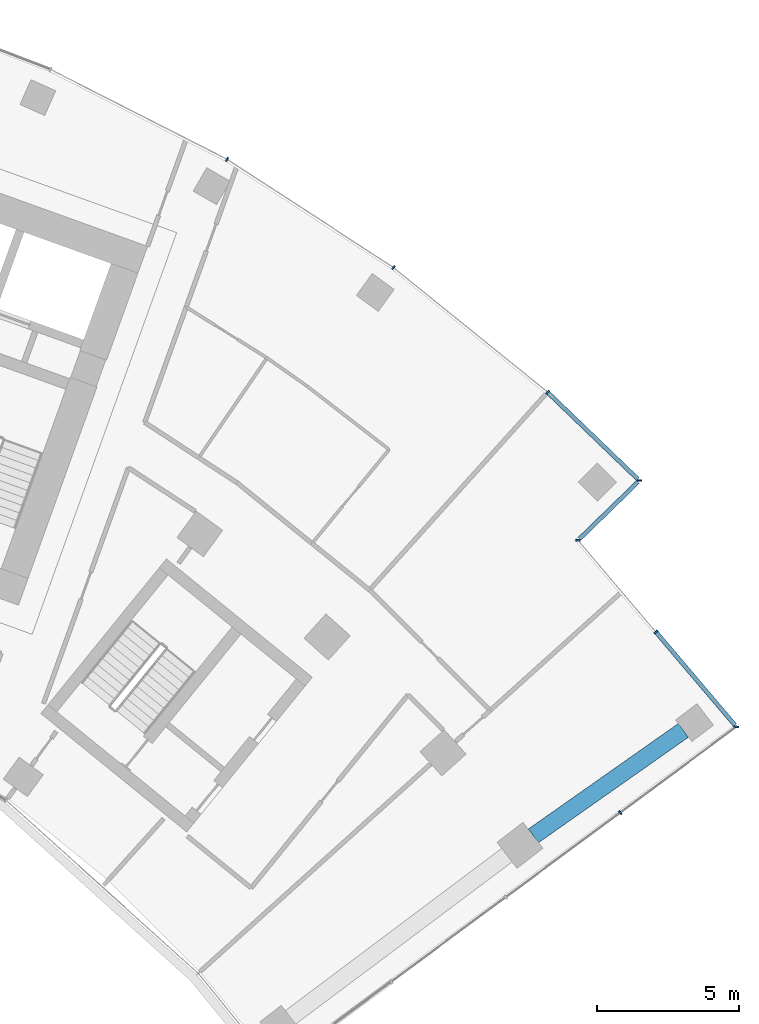
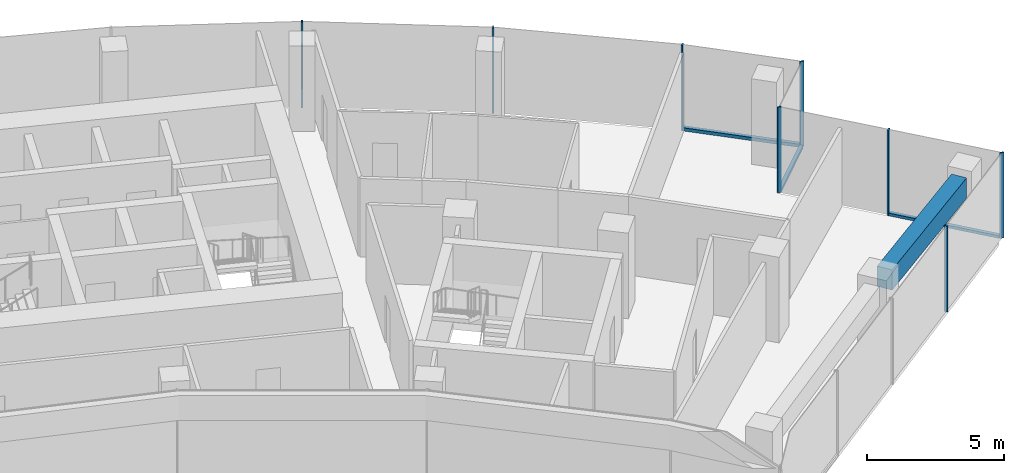
# One storey, part 8 of 17: 11 members, 1 beam, 4 elements without a shape of their own.
"""IFC4 building model written with IfcOpenShell, lengths in metres."""

from ifc_helpers import new_model, si_unit, direction, frame, origin, origin_2d, place, context, subcontext, project, spatial, rectangle, extrude, material, layer, layer_set, material_profile, profile_set, type_object, element, aggregate, save


model = new_model("IFC4")

# Units and contexts
model_context = context("Model", 3, precision=1e-05, world=origin(), true_north=direction((0.0, 1.0)))
body_context = subcontext(model_context, "Body", "Model", "MODEL_VIEW")
ifc_project = project(units=[si_unit("LENGTHUNIT", "METRE"), si_unit("AREAUNIT", "SQUARE_METRE"), si_unit("VOLUMEUNIT", "CUBIC_METRE"), si_unit("PLANEANGLEUNIT", "RADIAN"), si_unit("MASSUNIT", "GRAM", prefix="KILO")], contexts=[model_context])

# Site, building, storey
site_placement = place(None, origin())
site = spatial("IfcSite", under=ifc_project, at=site_placement, CompositionType="ELEMENT")
building_placement = place(site_placement, origin())
building = spatial("IfcBuilding", under=site, at=building_placement, Name="Stone Belt Terrace Tower", CompositionType="ELEMENT")
storey_placement = place(building_placement, frame((0.0, 0.0, 231.39990234375)))
storey = spatial("IfcBuildingStorey", under=building, at=storey_placement, Name="L56", CompositionType="ELEMENT", Elevation=231.39990234375)

# Curtain wall, members
ifc_material_1 = material(Name="Aluminium 6063-T6 anodised frame", Category="aluminium")
ifc_layer_1 = layer(ifc_material_1, 0.14990234375)
ifc_layer_set_1 = layer_set([ifc_layer_1], Name="CW-A unitised convex-face curtain wall")
curtain_wall_type_1 = type_object("IfcCurtainWallType", Name="CW-A unitised convex-face curtain wall", PredefinedType="NOTDEFINED", material=ifc_layer_set_1)
curtain_wall_1_placement = place(storey_placement, origin())
curtain_wall_1 = element("IfcCurtainWall", 1, at=curtain_wall_1_placement, inside=storey, type_object=curtain_wall_type_1, Name="CW-A convex face L56", PredefinedType="NOTDEFINED")
ifc_material_profile_1 = material_profile(ifc_material_1, rectangle(XDim=0.14990234375, YDim=0.06005859375, at=origin_2d()), Name="Aluminium 6063-T6 60x150")
ifc_profile_set_1 = profile_set([ifc_material_profile_1], Name="Aluminium 6063-T6 anodised frame")
member_type_1 = type_object("IfcMemberType", Name="CW-A mullion 60 x 150", PredefinedType="MULLION", material=ifc_profile_set_1)
member_1_placement = place(storey_placement, frame((47.775390625, 46.369140625, 0.0), z_axis=(0.0, 0.0, 1.0), x_axis=(-0.999996264646, -0.002733257028, 0.0)))
member_1 = element("IfcMember", 2, at=member_1_placement, type_object=member_type_1, Name="CW-A mullion 1", PredefinedType="MULLION", context=body_context, shape_type="SweptSolid", body=[
    extrude(rectangle(XDim=0.14990234375, YDim=0.06005859375, at=origin_2d()), origin(), (0.0, 0.0, 1.0), 3.800048828125),
])
member_2_placement = place(storey_placement, frame((44.546875, 49.475341796875, 0.0), z_axis=(0.0, 0.0, 1.0), x_axis=(-0.661937409618, -0.749559114245, 0.0)))
member_2 = element("IfcMember", 3, at=member_2_placement, type_object=member_type_1, Name="CW-A mullion 2", PredefinedType="MULLION", context=body_context, shape_type="SweptSolid", body=[
    extrude(rectangle(XDim=0.14990234375, YDim=0.06005859375, at=origin_2d()), origin(), (0.0, 0.0, 1.0), 3.800048828125),
])
member_3_placement = place(storey_placement, frame((39.1318359375, 53.8603515625, 0.0), z_axis=(0.0, 0.0, 1.0), x_axis=(-0.587785252292, -0.809016994375, 0.0)))
member_3 = element("IfcMember", 4, at=member_3_placement, type_object=member_type_1, Name="CW-A mullion 3", PredefinedType="MULLION", context=body_context, shape_type="SweptSolid", body=[
    extrude(rectangle(XDim=0.14990234375, YDim=0.06005859375, at=origin_2d()), origin(), (0.0, 0.0, 1.0), 3.800048828125),
])
member_4_placement = place(storey_placement, frame((33.28759765625, 57.65576171875, 0.0), z_axis=(0.0, 0.0, 1.0), x_axis=(-0.5, -0.866025403784, 0.0)))
member_4 = element("IfcMember", 5, at=member_4_placement, type_object=member_type_1, Name="CW-A mullion 4", PredefinedType="MULLION", context=body_context, shape_type="SweptSolid", body=[
    extrude(rectangle(XDim=0.14990234375, YDim=0.06005859375, at=origin_2d()), origin(), (0.0, 0.0, 1.0), 3.800048828125),
])
ifc_material_profile_2 = material_profile(ifc_material_1, rectangle(XDim=0.14990234375, YDim=0.139892578125, at=origin_2d()), Name="Aluminium 6063-T6 150x140")
ifc_profile_set_2 = profile_set([ifc_material_profile_2], Name="Aluminium 6063-T6 anodised frame")
member_type_2 = type_object("IfcMemberType", Name="CW-A transom 140 x 150", PredefinedType="USERDEFINED", material=ifc_profile_set_2)
member_5_placement = place(storey_placement, frame((47.721435546875, 46.4208984375, 0.070068359375), z_axis=(-0.720600183576, 0.693350831419, 0.0), x_axis=(-0.693350831419, -0.720600183576, 0.0)))
member_5 = element("IfcMember", 6, at=member_5_placement, type_object=member_type_2, Name="CW-A transom 1.1", ObjectType="TRANSOM", PredefinedType="USERDEFINED", context=body_context, shape_type="SweptSolid", body=[
    extrude(rectangle(XDim=0.14990234375, YDim=0.139892578125, at=origin_2d()), origin(), (0.0, 0.0, 1.0), 4.372314453125),
])
aggregate(curtain_wall_1, [member_1, member_2, member_3, member_4, member_5])

# Curtain wall, member
ifc_layer_2 = layer(ifc_material_1, 0.14990234375)
ifc_layer_set_2 = layer_set([ifc_layer_2], Name="CW-C stick curtain wall, horn ends and notches")
curtain_wall_type_2 = type_object("IfcCurtainWallType", Name="CW-C stick curtain wall, horn ends and notches", PredefinedType="NOTDEFINED", material=ifc_layer_set_2)
curtain_wall_2_placement = place(storey_placement, origin())
curtain_wall_2 = element("IfcCurtainWall", 7, at=curtain_wall_2_placement, inside=storey, type_object=curtain_wall_type_2, Name="CW-C end face L56", PredefinedType="NOTDEFINED")
ifc_material_profile_3 = material_profile(ifc_material_1, rectangle(XDim=0.14990234375, YDim=0.06005859375, at=origin_2d()), Name="Aluminium 6063-T6 60x150")
ifc_profile_set_3 = profile_set([ifc_material_profile_3], Name="Aluminium 6063-T6 anodised frame")
member_type_3 = type_object("IfcMemberType", Name="CW-C mullion 60 x 150", PredefinedType="MULLION", material=ifc_profile_set_3)
member_6_placement = place(storey_placement, frame((47.097900390625, 34.699462890625, 0.0), z_axis=(0.0, 0.0, 1.0), x_axis=(-0.594184091865, 0.804329077539, 0.0)))
member_6 = element("IfcMember", 8, at=member_6_placement, type_object=member_type_3, Name="CW-C mullion 4", PredefinedType="MULLION", context=body_context, shape_type="SweptSolid", body=[
    extrude(rectangle(XDim=0.14990234375, YDim=0.06005859375, at=origin_2d()), origin(), (0.0, 0.0, 1.0), 3.800048828125),
])
aggregate(curtain_wall_2, [member_6])

# Curtain wall, members
curtain_wall_3_placement = place(storey_placement, origin())
curtain_wall_3 = element("IfcCurtainWall", 9, at=curtain_wall_3_placement, inside=storey, type_object=curtain_wall_type_2, Name="CW-C notch face L56", PredefinedType="NOTDEFINED")
member_7_placement = place(storey_placement, frame((51.18408203125, 37.718017578125, 0.0), z_axis=(0.0, 0.0, 1.0), x_axis=(-0.993358853918, 0.115057321987, 0.0)))
member_7 = element("IfcMember", 10, at=member_7_placement, type_object=member_type_3, Name="CW-C mullion 1", PredefinedType="MULLION", context=body_context, shape_type="SweptSolid", body=[
    extrude(rectangle(XDim=0.14990234375, YDim=0.06005859375, at=origin_2d()), origin(), (0.0, 0.0, 1.0), 3.800048828125),
])
member_8_placement = place(storey_placement, frame((48.35302734375, 41.052490234375, 0.0), z_axis=(0.0, 0.0, 1.0), x_axis=(-0.762310954743, -0.647210945735, 0.0)))
member_8 = element("IfcMember", 11, at=member_8_placement, type_object=member_type_3, Name="CW-C mullion 2", PredefinedType="MULLION", context=body_context, shape_type="SweptSolid", body=[
    extrude(rectangle(XDim=0.14990234375, YDim=0.06005859375, at=origin_2d()), origin(), (0.0, 0.0, 1.0), 3.800048828125),
])

# Curtain wall, member
curtain_wall_4_placement = place(storey_placement, origin())
curtain_wall_4 = element("IfcCurtainWall", 12, at=curtain_wall_4_placement, inside=storey, type_object=curtain_wall_type_2, Name="CW-C notch face L56", PredefinedType="NOTDEFINED")
member_9_placement = place(storey_placement, frame((45.61962890625, 44.27197265625, 0.0), z_axis=(0.0, 0.0, 1.0), x_axis=(-0.998865261612, 0.047625509398, 0.0)))
member_9 = element("IfcMember", 13, at=member_9_placement, type_object=member_type_3, Name="CW-C mullion 1", PredefinedType="MULLION", context=body_context, shape_type="SweptSolid", body=[
    extrude(rectangle(XDim=0.14990234375, YDim=0.06005859375, at=origin_2d()), origin(), (0.0, 0.0, 1.0), 3.800048828125),
])

# Member
ifc_material_profile_4 = material_profile(ifc_material_1, rectangle(XDim=0.14990234375, YDim=0.1201171875, at=origin_2d()), Name="Aluminium 6063-T6 150x120")
ifc_profile_set_4 = profile_set([ifc_material_profile_4], Name="Aluminium 6063-T6 anodised frame")
member_type_4 = type_object("IfcMemberType", Name="CW-C transom 120 x 150", PredefinedType="USERDEFINED", material=ifc_profile_set_4)
member_10_placement = place(storey_placement, frame((51.13525390625, 37.775390625, 0.06005859375), z_axis=(-0.647195078608, 0.762324425836, 0.0), x_axis=(-0.762324425836, -0.647195078608, 0.0)))
member_10 = element("IfcMember", 14, at=member_10_placement, type_object=member_type_4, Name="CW-C transom 1.1", ObjectType="TRANSOM", PredefinedType="USERDEFINED", context=body_context, shape_type="SweptSolid", body=[
    extrude(rectangle(XDim=0.14990234375, YDim=0.1201171875, at=origin_2d()), origin(), (0.0, 0.0, 1.0), 4.268798828125),
])

aggregate(curtain_wall_3, [member_7, member_8, member_10])

member_11_placement = place(storey_placement, frame((45.671875, 44.322998046875, 0.06005859375), z_axis=(0.716814728684, 0.697263683797, 0.0), x_axis=(-0.697263683797, 0.716814728684, 0.0)))
member_11 = element("IfcMember", 15, at=member_11_placement, type_object=member_type_4, Name="CW-C transom 1.1", ObjectType="TRANSOM", PredefinedType="USERDEFINED", context=body_context, shape_type="SweptSolid", body=[
    extrude(rectangle(XDim=0.14990234375, YDim=0.1201171875, at=origin_2d()), origin(), (0.0, 0.0, 1.0), 2.859619140625),
])

aggregate(curtain_wall_4, [member_9, member_11])

# Beam
ifc_material_2 = material(Name="Concrete B60", Category="concrete")
ifc_material_profile_5 = material_profile(ifc_material_2, rectangle(XDim=0.60009765625, YDim=0.89990234375, at=origin_2d()), Name="RC 600x900")
ifc_profile_set_5 = profile_set([ifc_material_profile_5], Name="Concrete B60")
beam_type = type_object("IfcBeamType", Name="Edge beam RC 600x900 B60", PredefinedType="SPANDREL", material=ifc_profile_set_5)
beam_placement = place(storey_placement, frame((44.049560546875, 33.885498046875, 3.030029296875), z_axis=(0.817996569297, 0.575223098126, 0.0), x_axis=(-0.575223098126, 0.817996569297, 0.0)))
element("IfcBeam", 16, at=beam_placement, inside=storey, type_object=beam_type, Name="Edge beam L56 B Q to R", PredefinedType="SPANDREL", context=body_context, shape_type="SweptSolid", body=[
    extrude(rectangle(XDim=0.60009765625, YDim=0.89990234375, at=origin_2d()), origin(), (0.0, 0.0, 1.0), 6.444091796875),
])

save(model, "model.ifc")
